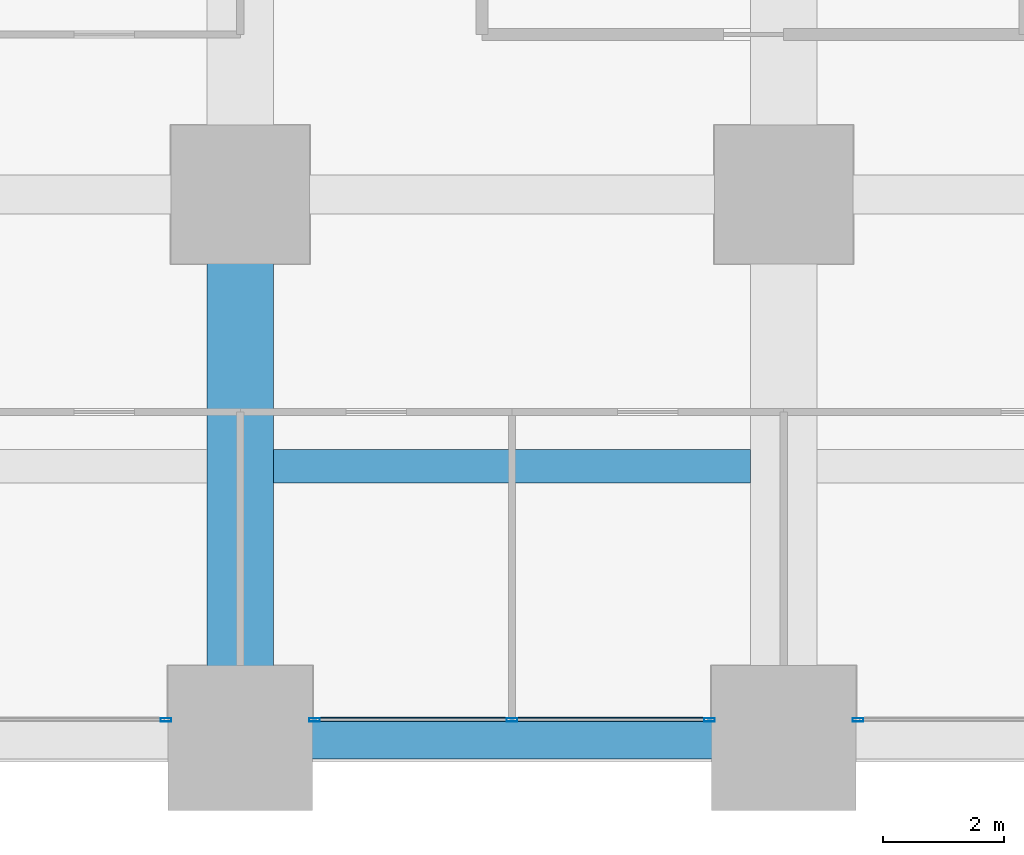
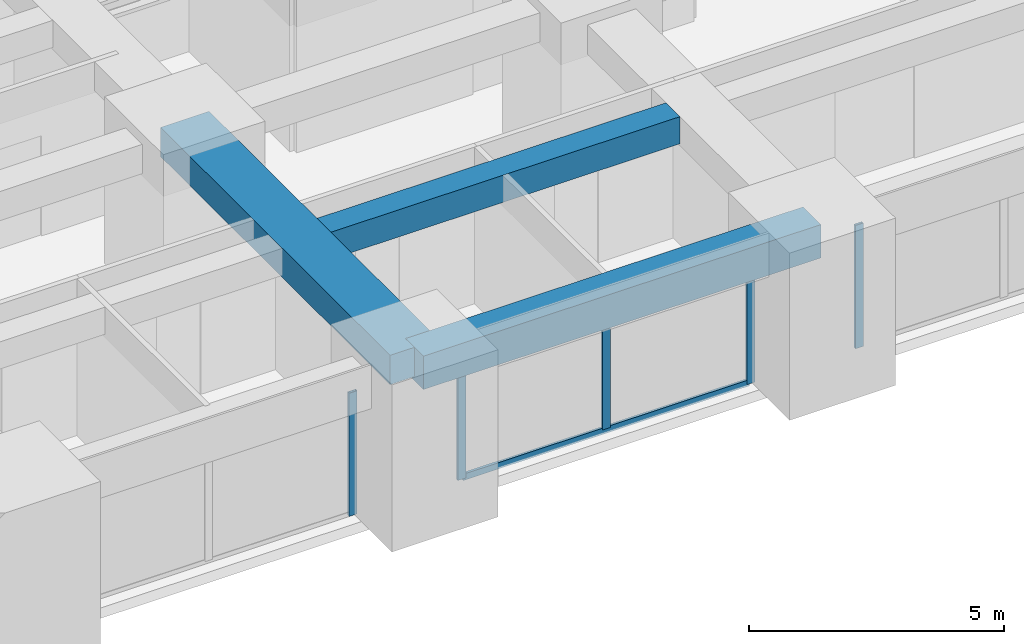
# One storey, part 6 of 45: 6 members, 3 beams, 3 elements without a shape of their own.
"""IFC4 building model written with IfcOpenShell, lengths in metres."""

from ifc_helpers import new_model, si_unit, direction, frame, origin, origin_2d, place, context, subcontext, project, spatial, rectangle, hollow_rectangle, extrude, material, material_profile, profile_set, type_object, element, aggregate, save


model = new_model("IFC4")

# Units and contexts
model_context = context("Model", 3, precision=1e-05, world=origin(), true_north=direction((0.0, 1.0)))
body_context = subcontext(model_context, "Body", "Model", "MODEL_VIEW")
ifc_project = project(units=[si_unit("LENGTHUNIT", "METRE"), si_unit("AREAUNIT", "SQUARE_METRE"), si_unit("VOLUMEUNIT", "CUBIC_METRE"), si_unit("PLANEANGLEUNIT", "RADIAN"), si_unit("MASSUNIT", "GRAM", prefix="KILO")], contexts=[model_context])

# Site, building, storey
site_placement = place(None, origin())
site = spatial("IfcSite", under=ifc_project, at=site_placement, CompositionType="ELEMENT")
building_placement = place(site_placement, origin())
building = spatial("IfcBuilding", under=site, at=building_placement, Name="Zorevar Civic Tower", CompositionType="ELEMENT")
storey_placement = place(building_placement, frame((0.0, 0.0, 23.800048828125)))
storey = spatial("IfcBuildingStorey", under=building, at=storey_placement, Name="L05", CompositionType="ELEMENT", Elevation=23.800048828125)

# Beams
ifc_material_1 = material(Name="Concrete C50/60", Category="concrete")
ifc_material_profile_1 = material_profile(ifc_material_1, rectangle(XDim=1.10009765625, YDim=0.699951171875, at=origin_2d()), Name="RC 1100x700")
ifc_profile_set_1 = profile_set([ifc_material_profile_1], Name="Concrete C50/60")
beam_type_1 = type_object("IfcBeamType", Name="Beam RC 1100x700", PredefinedType="BEAM", material=ifc_profile_set_1)
beam_1_placement = place(storey_placement, frame((18.0, 0.0, 3.39990234375), z_axis=(0.0, 1.0, 0.0), x_axis=(-1.0, 0.0, 0.0)))
element("IfcBeam", 1, at=beam_1_placement, inside=storey, type_object=beam_type_1, Name="Girder L06", PredefinedType="BEAM", context=body_context, shape_type="SweptSolid", body=[
    extrude(rectangle(XDim=1.10009765625, YDim=0.699951171875, at=origin_2d()), origin(), (0.0, 0.0, 1.0), 9.0),
])
ifc_material_2 = material(Name="Concrete C50/60", Category="concrete")
ifc_material_profile_2 = material_profile(ifc_material_2, rectangle(XDim=0.550048828125, YDim=0.64990234375, at=origin_2d()), Name="RC 550x650")
ifc_profile_set_2 = profile_set([ifc_material_profile_2], Name="Concrete C50/60")
beam_type_2 = type_object("IfcBeamType", Name="Beam RC 550x650", PredefinedType="BEAM", material=ifc_profile_set_2)
beam_2_placement = place(storey_placement, frame((18.550048828125, 4.5, 3.425048828125), z_axis=(1.0, 0.0, 0.0), x_axis=(0.0, 1.0, 0.0)))
element("IfcBeam", 2, at=beam_2_placement, inside=storey, type_object=beam_type_2, Name="Secondary beam L06", PredefinedType="BEAM", context=body_context, shape_type="SweptSolid", body=[
    extrude(rectangle(XDim=0.550048828125, YDim=0.64990234375, at=origin_2d()), origin(), (0.0, 0.0, 1.0), 7.89990234375),
])

# Curtain wall, member
ifc_material_3 = material(Name="Dark grey solar-control glass in black aluminium frame", Category="aluminium")
curtain_wall_type = type_object("IfcCurtainWallType", Name="Curtain wall CW2 low zone", PredefinedType="NOTDEFINED", material=ifc_material_3)
curtain_wall_1_placement = place(storey_placement, origin())
curtain_wall_1 = element("IfcCurtainWall", 3, at=curtain_wall_1_placement, inside=storey, type_object=curtain_wall_type, Name="CW2 L05", PredefinedType="NOTDEFINED")
ifc_material_4 = material(Name="Aluminium, black anodised", Category="aluminium")
ifc_material_profile_3 = material_profile(ifc_material_4, hollow_rectangle(XDim=0.06005859375, YDim=0.179931640625, WallThickness=0.00390625, at=origin_2d()), Name="AL 180x60x4")
ifc_profile_set_3 = profile_set([ifc_material_profile_3], Name="Aluminium, black anodised")
member_type_1 = type_object("IfcMemberType", Name="CW2 mullion AL 180x60x4", PredefinedType="MULLION", material=ifc_profile_set_3)
member_1_placement = place(storey_placement, frame((16.77001953125, 0.300048828125, 0.0), z_axis=(0.0, 0.0, 1.0), x_axis=(0.0, 1.0, 0.0)))
member_1 = element("IfcMember", 4, at=member_1_placement, type_object=member_type_1, Name="CW2 mullion 3", PredefinedType="MULLION", context=body_context, shape_type="SweptSolid", body=[
    extrude(hollow_rectangle(XDim=0.06005859375, YDim=0.179931640625, WallThickness=0.00390625, at=origin_2d()), origin(), (0.0, 0.0, 1.0), 2.949951171875),
])
aggregate(curtain_wall_1, [member_1])

# Curtain wall, members
curtain_wall_2_placement = place(storey_placement, origin())
curtain_wall_2 = element("IfcCurtainWall", 5, at=curtain_wall_2_placement, inside=storey, type_object=curtain_wall_type, Name="CW2 L05", PredefinedType="NOTDEFINED")
member_2_placement = place(storey_placement, frame((19.22998046875, 0.300048828125, 0.0), z_axis=(0.0, 0.0, 1.0), x_axis=(0.0, 1.0, 0.0)))
member_2 = element("IfcMember", 6, at=member_2_placement, type_object=member_type_1, Name="CW2 mullion 1", PredefinedType="MULLION", context=body_context, shape_type="SweptSolid", body=[
    extrude(hollow_rectangle(XDim=0.06005859375, YDim=0.179931640625, WallThickness=0.00390625, at=origin_2d()), origin(), (0.0, 0.0, 1.0), 2.949951171875),
])
member_3_placement = place(storey_placement, frame((22.5, 0.300048828125, 0.06005859375), z_axis=(0.0, 0.0, 1.0), x_axis=(0.0, 1.0, 0.0)))
member_3 = element("IfcMember", 7, at=member_3_placement, type_object=member_type_1, Name="CW2 mullion 2", PredefinedType="MULLION", context=body_context, shape_type="SweptSolid", body=[
    extrude(hollow_rectangle(XDim=0.06005859375, YDim=0.179931640625, WallThickness=0.00390625, at=origin_2d()), origin(), (0.0, 0.0, 1.0), 2.889892578125),
])
member_4_placement = place(storey_placement, frame((25.77001953125, 0.300048828125, 0.0), z_axis=(0.0, 0.0, 1.0), x_axis=(0.0, 1.0, 0.0)))
member_4 = element("IfcMember", 8, at=member_4_placement, type_object=member_type_1, Name="CW2 mullion 3", PredefinedType="MULLION", context=body_context, shape_type="SweptSolid", body=[
    extrude(hollow_rectangle(XDim=0.06005859375, YDim=0.179931640625, WallThickness=0.00390625, at=origin_2d()), origin(), (0.0, 0.0, 1.0), 2.949951171875),
])

# Curtain wall, member
curtain_wall_3_placement = place(storey_placement, origin())
curtain_wall_3 = element("IfcCurtainWall", 9, at=curtain_wall_3_placement, inside=storey, type_object=curtain_wall_type, Name="CW2 L05", PredefinedType="NOTDEFINED")
member_5_placement = place(storey_placement, frame((28.22998046875, 0.300048828125, 0.0), z_axis=(0.0, 0.0, 1.0), x_axis=(0.0, 1.0, 0.0)))
member_5 = element("IfcMember", 10, at=member_5_placement, type_object=member_type_1, Name="CW2 mullion 1", PredefinedType="MULLION", context=body_context, shape_type="SweptSolid", body=[
    extrude(hollow_rectangle(XDim=0.06005859375, YDim=0.179931640625, WallThickness=0.00390625, at=origin_2d()), origin(), (0.0, 0.0, 1.0), 2.949951171875),
])
aggregate(curtain_wall_3, [member_5])

# Member
ifc_material_5 = material(Name="Aluminium, black anodised", Category="aluminium")
ifc_material_profile_4 = material_profile(ifc_material_5, hollow_rectangle(XDim=0.06005859375, YDim=0.14990234375, WallThickness=0.00390625, at=origin_2d()), Name="AL 150x60x4")
ifc_profile_set_4 = profile_set([ifc_material_profile_4], Name="Aluminium, black anodised")
member_type_2 = type_object("IfcMemberType", Name="CW2 transom AL 150x60x4", PredefinedType="USERDEFINED", material=ifc_profile_set_4)
member_6_placement = place(storey_placement, frame((19.260009765625, 0.300048828125, 0.030029296875), z_axis=(1.0, 0.0, 0.0), x_axis=(0.0, 1.0, 0.0)))
member_6 = element("IfcMember", 11, at=member_6_placement, type_object=member_type_2, Name="CW2 sill transom", ObjectType="TRANSOM", PredefinedType="USERDEFINED", context=body_context, shape_type="SweptSolid", body=[
    extrude(hollow_rectangle(XDim=0.06005859375, YDim=0.14990234375, WallThickness=0.00390625, at=origin_2d()), origin(), (0.0, 0.0, 1.0), 6.47998046875),
])

aggregate(curtain_wall_2, [member_2, member_3, member_4, member_6])

# Beam
ifc_material_6 = material(Name="Concrete C50/60", Category="concrete")
ifc_material_profile_5 = material_profile(ifc_material_6, rectangle(XDim=0.699951171875, YDim=0.800048828125, at=origin_2d()), Name="RC 700x800")
ifc_profile_set_5 = profile_set([ifc_material_profile_5], Name="Concrete C50/60")
beam_type_3 = type_object("IfcBeamType", Name="Edge beam RC 700x800", PredefinedType="SPANDREL", material=ifc_profile_set_5)
beam_3_placement = place(storey_placement, frame((18.0, 0.0, 3.349853515625), z_axis=(1.0, 0.0, 0.0), x_axis=(0.0, 1.0, 0.0)))
element("IfcBeam", 12, at=beam_3_placement, inside=storey, type_object=beam_type_3, Name="Edge beam L06", PredefinedType="SPANDREL", context=body_context, shape_type="SweptSolid", body=[
    extrude(rectangle(XDim=0.699951171875, YDim=0.800048828125, at=origin_2d()), origin(), (0.0, 0.0, 1.0), 9.0),
])

save(model, "model.ifc")
